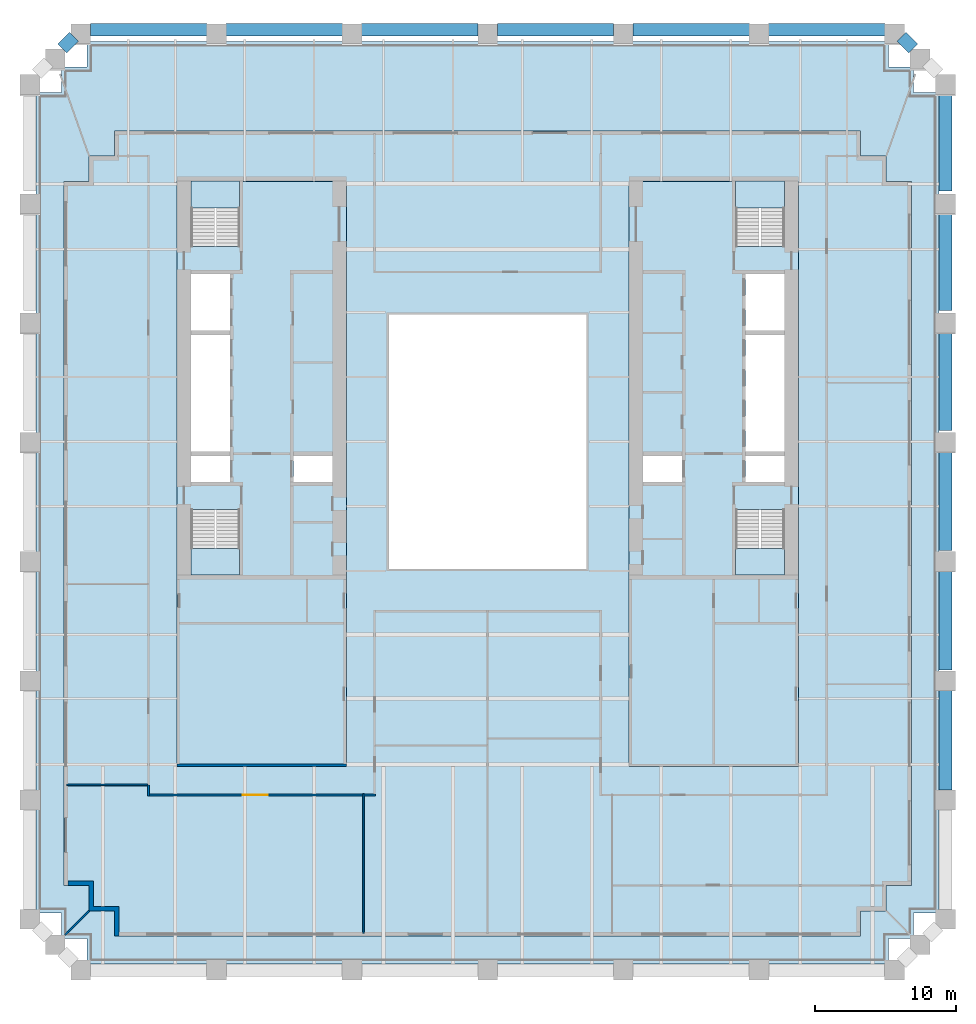
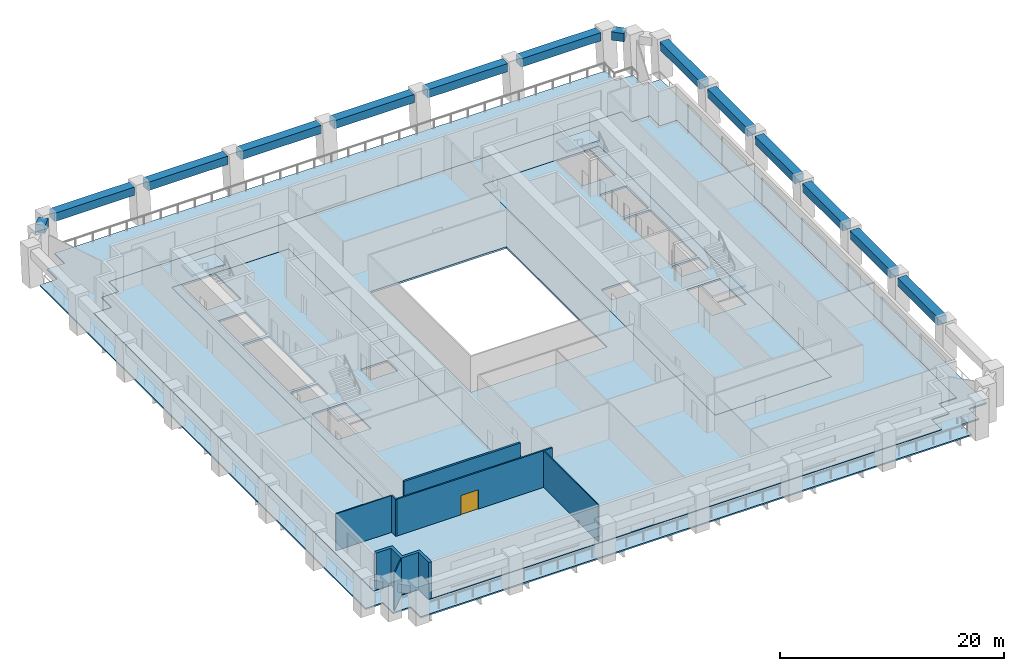
# One storey, part 2 of 8: 14 beams, 8 slabs, 8 walls, 1 door, 1 opening, 4 elements without a shape of their own.
"""IFC4 building model written with IfcOpenShell, lengths in metres."""

from ifc_helpers import new_model, si_unit, direction, frame, frame_2d, origin, origin_2d, place, context, subcontext, project, spatial, polyline, rectangle, outline, extrude, material, layer, layer_set, material_profile, profile_set, type_object, element, fill, aggregate, save


model = new_model("IFC4")

# Units and contexts
model_context = context("Model", 3, precision=1e-05, world=origin(), true_north=direction((0.0, 1.0)))
body_context = subcontext(model_context, "Body", "Model", "MODEL_VIEW")
ifc_project = project(units=[si_unit("LENGTHUNIT", "METRE"), si_unit("AREAUNIT", "SQUARE_METRE"), si_unit("VOLUMEUNIT", "CUBIC_METRE"), si_unit("PLANEANGLEUNIT", "RADIAN"), si_unit("MASSUNIT", "GRAM", prefix="KILO")], contexts=[model_context])

# Site, building, storey
site_placement = place(None, origin())
site = spatial("IfcSite", under=ifc_project, at=site_placement, CompositionType="ELEMENT")
building_placement = place(site_placement, origin())
building = spatial("IfcBuilding", under=site, at=building_placement, Name="Ogive Exchange Tower", CompositionType="ELEMENT")
storey_placement = place(building_placement, frame((0.0, 0.0, 81.60009765625)))
storey = spatial("IfcBuildingStorey", under=building, at=storey_placement, Name="L17", CompositionType="ELEMENT", Elevation=81.60009765625)

# Beams
ifc_material_1 = material(Name="Precast concrete C70/85 (limestone faced)", Category="masonry")
ifc_material_profile = material_profile(ifc_material_1, rectangle(XDim=0.89990234375, YDim=0.89990234375, at=origin_2d()), Name="900 x 900")
ifc_profile_set = profile_set([ifc_material_profile], Name="Precast concrete C70/85 (limestone faced)")
beam_type = type_object("IfcBeamType", Name="Precast spandrel 900 x 900 C70/85", PredefinedType="SPANDREL", material=ifc_profile_set)
beam_1_placement = place(storey_placement, frame((32.39990234375, -17.64208984375, 3.5), z_axis=(0.0, 1.0, 0.0), x_axis=(-1.0, 0.0, 0.0)))
element("IfcBeam", 1, at=beam_1_placement, inside=storey, type_object=beam_type, Name="Spandrel 10", PredefinedType="SPANDREL", context=body_context, shape_type="SweptSolid", body=[
    extrude(rectangle(XDim=0.89990234375, YDim=0.89990234375, at=origin_2d()), origin(), (0.0, 0.0, 1.0), 7.117919921875),
])
beam_2_placement = place(storey_placement, frame((32.39990234375, -9.164306640625, 3.5), z_axis=(0.0, 1.0, 0.0), x_axis=(-1.0, 0.0, 0.0)))
element("IfcBeam", 2, at=beam_2_placement, inside=storey, type_object=beam_type, Name="Spandrel 11", PredefinedType="SPANDREL", context=body_context, shape_type="SweptSolid", body=[
    extrude(rectangle(XDim=0.89990234375, YDim=0.89990234375, at=origin_2d()), origin(), (0.0, 0.0, 1.0), 7.1181640625),
])
for number, where, z_axis, x_axis, name in (
    (3, (32.39990234375, -0.686279296875, 3.5), (0.0, 1.0, 0.0), (-1.0, 0.0, 0.0), "Spandrel 12"),
    (4, (32.39990234375, 7.791748046875, 3.5), (0.0, 1.0, 0.0), (-1.0, 0.0, 0.0), "Spandrel 13"),
    (5, (32.39990234375, 16.26953125, 3.5), (0.0, 1.0, 0.0), (-1.0, 0.0, 0.0), "Spandrel 14"),
    (6, (32.39990234375, 24.74755859375, 3.5), (0.0, 1.0, 0.0), (-1.0, 0.0, 0.0), "Spandrel 15"),
):
    element("IfcBeam", number, at=place(storey_placement, frame(where, z_axis=z_axis, x_axis=x_axis)), inside=storey, type_object=beam_type, Name=name, PredefinedType="SPANDREL", context=body_context, shape_type="SweptSolid", body=[
        extrude(rectangle(XDim=0.89990234375, YDim=0.89990234375, at=origin_2d()), origin(), (0.0, 0.0, 1.0), 7.117919921875),
    ])
beam_3_placement = place(storey_placement, frame((30.112060546875, 34.833251953125, 3.5), z_axis=(-0.707002063412, 0.707211483455, 0.0), x_axis=(-0.707211483455, -0.707002063412, 0.0)))
element("IfcBeam", 7, at=beam_3_placement, inside=storey, type_object=beam_type, Name="Spandrel 17", PredefinedType="SPANDREL", context=body_context, shape_type="SweptSolid", body=[
    extrude(rectangle(XDim=0.89990234375, YDim=0.89990234375, at=origin_2d()), origin(), (0.0, 0.0, 1.0), 1.165771484375),
])
beam_4_placement = place(storey_placement, frame((28.1201171875, 36.1455078125, 3.5), z_axis=(-1.0, 0.0, 0.0), x_axis=(0.0, -1.0, 0.0)))
element("IfcBeam", 8, at=beam_4_placement, inside=storey, type_object=beam_type, Name="Spandrel 18", PredefinedType="SPANDREL", context=body_context, shape_type="SweptSolid", body=[
    extrude(rectangle(XDim=0.89990234375, YDim=0.89990234375, at=origin_2d()), origin(), (0.0, 0.0, 1.0), 8.240234375),
])
for number, where, z_axis, x_axis, name in (
    (9, (18.52001953125, 36.1455078125, 3.5), (-1.0, 0.0, 0.0), (0.0, -1.0, 0.0), "Spandrel 19"),
    (10, (8.919921875, 36.1455078125, 3.5), (-1.0, 0.0, 0.0), (0.0, -1.0, 0.0), "Spandrel 20"),
    (11, (-0.679931640625, 36.1455078125, 3.5), (-1.0, 0.0, 0.0), (0.0, -1.0, 0.0), "Spandrel 21"),
    (12, (-10.280029296875, 36.1455078125, 3.5), (-1.0, 0.0, 0.0), (0.0, -1.0, 0.0), "Spandrel 22"),
):
    element("IfcBeam", number, at=place(storey_placement, frame(where, z_axis=z_axis, x_axis=x_axis)), inside=storey, type_object=beam_type, Name=name, PredefinedType="SPANDREL", context=body_context, shape_type="SweptSolid", body=[
        extrude(rectangle(XDim=0.89990234375, YDim=0.89990234375, at=origin_2d()), origin(), (0.0, 0.0, 1.0), 8.239990234375),
    ])
beam_5_placement = place(storey_placement, frame((-19.8798828125, 36.1455078125, 3.5), z_axis=(-1.0, 0.0, 0.0), x_axis=(0.0, -1.0, 0.0)))
element("IfcBeam", 13, at=beam_5_placement, inside=storey, type_object=beam_type, Name="Spandrel 23", PredefinedType="SPANDREL", context=body_context, shape_type="SweptSolid", body=[
    extrude(rectangle(XDim=0.89990234375, YDim=0.89990234375, at=origin_2d()), origin(), (0.0, 0.0, 1.0), 8.240234375),
])
beam_6_placement = place(storey_placement, frame((-29.287841796875, 35.65771484375, 3.5), z_axis=(-0.707002063412, -0.707211483455, 0.0), x_axis=(0.707211483455, -0.707002063412, 0.0)))
element("IfcBeam", 14, at=beam_6_placement, inside=storey, type_object=beam_type, Name="Spandrel 24", PredefinedType="SPANDREL", context=body_context, shape_type="SweptSolid", body=[
    extrude(rectangle(XDim=0.89990234375, YDim=0.89990234375, at=origin_2d()), origin(), (0.0, 0.0, 1.0), 1.165771484375),
])

# Slabs
ifc_material_2 = material(Name="Concrete C50/60", Category="concrete")
ifc_layer_1 = layer(ifc_material_2, 0.199951171875)
ifc_layer_set_1 = layer_set([ifc_layer_1], Name="Composite floor slab 200")
slab_type_1 = type_object("IfcSlabType", Name="Composite floor slab 200", PredefinedType="FLOOR", material=ifc_layer_set_1)
slab_1_placement = place(storey_placement, frame((0.0, 0.0, -0.2001953125)))
element("IfcSlab", 15, at=slab_1_placement, inside=storey, type_object=slab_type_1, Name="Composite floor slab", PredefinedType="FLOOR", context=body_context, shape_type="SweptSolid", body=[
    extrude(outline(polyline([(-26.39990234375, -26.199951171875), (-28.199951171875, -26.199951171875), (-28.199951171875, -24.39990234375), (-30.0, -24.39990234375), (-30.0, 25.39990234375), (-28.199951171875, 25.39990234375), (-28.199951171875, 27.199951171875), (-26.39990234375, 27.199951171875), (-26.39990234375, 29.0), (26.39990234375, 29.0), (26.39990234375, 27.199951171875), (28.199951171875, 27.199951171875), (28.199951171875, 25.39990234375), (30.0, 25.39990234375), (30.0, -24.39990234375), (28.199951171875, -24.39990234375), (28.199951171875, -26.199951171875), (26.39990234375, -26.199951171875), (26.39990234375, -28.0), (-26.39990234375, -28.0), (-26.39990234375, -26.199951171875)]), holes=[polyline([(-10.0, -16.0), (-10.0, 25.39990234375), (-22.0, 25.39990234375), (-22.0, -16.0), (-10.0, -16.0)]), polyline([(10.0, -16.0), (22.0, -16.0), (22.0, 25.39990234375), (10.0, 25.39990234375), (10.0, -16.0)]), polyline([(-7.0, -2.0), (7.0, -2.0), (7.0, 16.0), (-7.0, 16.0), (-7.0, -2.0)])]), origin(), (0.0, 0.0, 1.0), 0.2001953125),
])
ifc_material_3 = material(Name="Concrete C70/85", Category="concrete")
ifc_layer_2 = layer(ifc_material_3, 0.199951171875)
ifc_layer_set_2 = layer_set([ifc_layer_2], Name="Core floor slab 200")
slab_type_2 = type_object("IfcSlabType", Name="Core floor slab 200", PredefinedType="FLOOR", material=ifc_layer_set_2)
slab_2_placement = place(storey_placement, frame((0.0, 0.0, -0.2001953125)))
element("IfcSlab", 16, at=slab_2_placement, inside=storey, type_object=slab_type_2, Name="Core floor slab", PredefinedType="FLOOR", context=body_context, shape_type="SweptSolid", body=[
    extrude(outline(polyline([(-10.0, 25.39990234375), (-10.0, -16.0), (-22.0, -16.0), (-22.0, 25.39990234375), (-21.0, 25.39990234375), (-21.0, 20.803955078125), (-17.550048828125, 20.803955078125), (-17.550048828125, 25.39990234375), (-10.0, 25.39990234375)]), holes=[polyline([(-17.550048828125, 2.196044921875), (-21.0, 2.196044921875), (-21.0, -2.449951171875), (-17.550048828125, -2.449951171875), (-17.550048828125, 2.196044921875)]), polyline([(-18.25, 5.992919921875), (-21.0, 5.992919921875), (-21.0, 4.14990234375), (-18.25, 4.14990234375), (-18.25, 5.992919921875)]), polyline([(-11.0, 5.992919921875), (-13.75, 5.992919921875), (-13.75, 4.14990234375), (-11.0, 4.14990234375), (-11.0, 5.992919921875)]), polyline([(-21.0, 14.564208984375), (-21.0, 6.29296875), (-18.25, 6.29296875), (-18.25, 14.564208984375), (-21.0, 14.564208984375)]), polyline([(-18.25, 18.85009765625), (-21.0, 18.85009765625), (-21.0, 14.8642578125), (-18.25, 14.8642578125), (-18.25, 18.85009765625)])]), origin(), (0.0, 0.0, 1.0), 0.2001953125),
])
slab_3_placement = place(storey_placement, frame((0.0, 0.0, -0.2001953125)))
element("IfcSlab", 17, at=slab_3_placement, inside=storey, type_object=slab_type_2, Name="Core floor slab", PredefinedType="FLOOR", context=body_context, shape_type="SweptSolid", body=[
    extrude(outline(polyline([(22.0, 25.39990234375), (22.0, -16.0), (10.0, -16.0), (10.0, 25.39990234375), (17.550048828125, 25.39990234375), (17.550048828125, 20.803955078125), (21.0, 20.803955078125), (21.0, 25.39990234375), (22.0, 25.39990234375)]), holes=[polyline([(21.0, 2.196044921875), (17.550048828125, 2.196044921875), (17.550048828125, -2.449951171875), (21.0, -2.449951171875), (21.0, 2.196044921875)]), polyline([(13.75, 5.992919921875), (11.0, 5.992919921875), (11.0, 4.14990234375), (13.75, 4.14990234375), (13.75, 5.992919921875)]), polyline([(21.0, 5.992919921875), (18.25, 5.992919921875), (18.25, 4.14990234375), (21.0, 4.14990234375), (21.0, 5.992919921875)]), polyline([(18.25, 14.564208984375), (18.25, 6.29296875), (21.0, 6.29296875), (21.0, 14.564208984375), (18.25, 14.564208984375)]), polyline([(21.0, 18.85009765625), (18.25, 18.85009765625), (18.25, 14.8642578125), (21.0, 14.8642578125), (21.0, 18.85009765625)])]), origin(), (0.0, 0.0, 1.0), 0.2001953125),
])
ifc_layer_3 = layer(ifc_material_2, 0.14990234375)
ifc_layer_set_3 = layer_set([ifc_layer_3], Name="Loggia deck 150")
slab_type_3 = type_object("IfcSlabType", Name="Loggia deck 150", PredefinedType="FLOOR", material=ifc_layer_set_3)
slab_4_placement = place(storey_placement, frame((0.0, 0.0, -0.2001953125)))
element("IfcSlab", 18, at=slab_4_placement, inside=storey, type_object=slab_type_3, Name="Loggia deck", PredefinedType="FLOOR", context=body_context, shape_type="SweptSolid", body=[
    extrude(outline(polyline([(-28.35009765625, -28.14990234375), (-30.14990234375, -28.14990234375), (-30.14990234375, -26.35009765625), (-31.949951171875, -26.35009765625), (-31.949951171875, 31.713623046875), (-30.14990234375, 31.713623046875), (-30.14990234375, 33.513671875), (-28.35009765625, 33.513671875), (-28.35009765625, 35.313720703125), (28.35009765625, 35.313720703125), (28.35009765625, 33.513671875), (30.14990234375, 33.513671875), (30.14990234375, 31.713623046875), (31.949951171875, 31.713623046875), (31.949951171875, -26.35009765625), (30.14990234375, -26.35009765625), (30.14990234375, -28.14990234375), (28.35009765625, -28.14990234375), (28.35009765625, -29.949951171875), (-28.35009765625, -29.949951171875), (-28.35009765625, -28.14990234375)]), holes=[polyline([(26.39990234375, -26.199951171875), (28.199951171875, -26.199951171875), (28.199951171875, -24.39990234375), (30.0, -24.39990234375), (30.0, 25.39990234375), (28.199951171875, 25.39990234375), (28.199951171875, 27.199951171875), (26.39990234375, 27.199951171875), (26.39990234375, 29.0), (-26.39990234375, 29.0), (-26.39990234375, 27.199951171875), (-28.199951171875, 27.199951171875), (-28.199951171875, 25.39990234375), (-30.0, 25.39990234375), (-30.0, -24.39990234375), (-28.199951171875, -24.39990234375), (-28.199951171875, -26.199951171875), (-26.39990234375, -26.199951171875), (-26.39990234375, -28.0), (26.39990234375, -28.0), (26.39990234375, -26.199951171875)])]), origin(), (0.0, 0.0, 1.0), 0.150146484375),
])

# Stair, slab
ifc_material_4 = material(Name="Concrete C40/50", Category="concrete")
stair_type = type_object("IfcStairType", Name="Exit stair 1650 wide", PredefinedType="HALF_TURN_STAIR", material=ifc_material_4)
stair_1_placement = place(storey_placement, origin())
stair_1 = element("IfcStair", 19, at=stair_1_placement, inside=storey, type_object=stair_type, Name="L17 exit stair ST1", PredefinedType="HALF_TURN_STAIR")
ifc_layer_4 = layer(ifc_material_4, 0.199951171875)
ifc_layer_set_4 = layer_set([ifc_layer_4], Name="Stair landing 200 slab")
slab_type_4 = type_object("IfcSlabType", Name="Stair landing 200 slab", PredefinedType="LANDING", material=ifc_layer_set_4)
slab_5_placement = place(storey_placement, frame((0.0, 0.0, 1.89990234375)))
slab_5 = element("IfcSlab", 20, at=slab_5_placement, type_object=slab_type_4, Name="ST1 landing 1", PredefinedType="LANDING", context=body_context, shape_type="SweptSolid", body=[
    extrude(outline(polyline([(-21.0, -0.550048828125), (-21.0, -2.449951171875), (-17.550048828125, -2.449951171875), (-17.550048828125, -0.550048828125), (-21.0, -0.550048828125)])), origin(), (0.0, 0.0, 1.0), 0.199951171875),
])
aggregate(stair_1, [slab_5])

stair_2_placement = place(storey_placement, origin())
stair_2 = element("IfcStair", 21, at=stair_2_placement, inside=storey, type_object=stair_type, Name="L17 exit stair ST2", PredefinedType="HALF_TURN_STAIR")
slab_6_placement = place(storey_placement, frame((0.0, 0.0, 1.89990234375)))
slab_6 = element("IfcSlab", 22, at=slab_6_placement, type_object=slab_type_4, Name="ST2 landing 1", PredefinedType="LANDING", context=body_context, shape_type="SweptSolid", body=[
    extrude(outline(polyline([(-17.550048828125, 23.550048828125), (-17.550048828125, 25.449951171875), (-21.0, 25.449951171875), (-21.0, 23.550048828125), (-17.550048828125, 23.550048828125)])), origin(), (0.0, 0.0, 1.0), 0.199951171875),
])
aggregate(stair_2, [slab_6])

stair_3_placement = place(storey_placement, origin())
stair_3 = element("IfcStair", 23, at=stair_3_placement, inside=storey, type_object=stair_type, Name="L17 exit stair ST3", PredefinedType="HALF_TURN_STAIR")
slab_7_placement = place(storey_placement, frame((0.0, 0.0, 1.89990234375)))
slab_7 = element("IfcSlab", 24, at=slab_7_placement, type_object=slab_type_4, Name="ST3 landing 1", PredefinedType="LANDING", context=body_context, shape_type="SweptSolid", body=[
    extrude(outline(polyline([(17.550048828125, -0.550048828125), (17.550048828125, -2.449951171875), (21.0, -2.449951171875), (21.0, -0.550048828125), (17.550048828125, -0.550048828125)])), origin(), (0.0, 0.0, 1.0), 0.199951171875),
])
aggregate(stair_3, [slab_7])

stair_4_placement = place(storey_placement, origin())
stair_4 = element("IfcStair", 25, at=stair_4_placement, inside=storey, type_object=stair_type, Name="L17 exit stair ST4", PredefinedType="HALF_TURN_STAIR")
slab_8_placement = place(storey_placement, frame((0.0, 0.0, 1.89990234375)))
slab_8 = element("IfcSlab", 26, at=slab_8_placement, type_object=slab_type_4, Name="ST4 landing 1", PredefinedType="LANDING", context=body_context, shape_type="SweptSolid", body=[
    extrude(outline(polyline([(21.0, 23.550048828125), (21.0, 25.449951171875), (17.550048828125, 25.449951171875), (17.550048828125, 23.550048828125), (21.0, 23.550048828125)])), origin(), (0.0, 0.0, 1.0), 0.199951171875),
])
aggregate(stair_4, [slab_8])

# Wall
ifc_material_5 = material(Name="Fire partition EI 60 150")
ifc_layer_5 = layer(ifc_material_5, 0.14990234375)
ifc_layer_set_5 = layer_set([ifc_layer_5], Name="Fire partition EI 60 150")
wall_type_1 = type_object("IfcWallType", Name="Fire partition EI 60 150", PredefinedType="PARTITIONING", material=ifc_layer_set_5)
wall_1_placement = place(storey_placement, frame((-24.0, -18.074951171875, 0.0), z_axis=(0.0, 0.0, 1.0), x_axis=(0.0, 1.0, 0.0)))
element("IfcWall", 27, at=wall_1_placement, inside=storey, type_object=wall_type_1, Name="L17-PWL-001", PredefinedType="PARTITIONING", context=body_context, shape_type="SweptSolid", body=[
    extrude(rectangle(XDim=0.784912109375, YDim=0.14990234375, at=frame_2d((0.392578125, 0.0))), origin(), (0.0, 0.0, 1.0), 4.0),
])

# Wall, opening, door
wall_2_placement = place(storey_placement, frame((-8.85009765625, -18.0, 0.0), z_axis=(0.0, 0.0, 1.0), x_axis=(-1.0, 0.0, 0.0)))
wall_2 = element("IfcWall", 28, at=wall_2_placement, inside=storey, type_object=wall_type_1, Name="L17-PWL-008", PredefinedType="PARTITIONING", context=body_context, shape_type="SweptSolid", body=[
    extrude(rectangle(XDim=15.074951171875, YDim=0.14990234375, at=frame_2d((7.53759765625, 0.0))), origin(), (0.0, 0.0, 1.0), 4.0),
])
opening_placement = place(wall_2_placement, frame((6.699951171875, 0.0, 0.0)))
opening = element("IfcOpeningElement", 29, at=opening_placement, cuts=wall_2, Name="Opening L17-I12", PredefinedType="OPENING", context=body_context, shape_type="SweptSolid", body=[
    extrude(rectangle(XDim=1.800048828125, YDim=2.10009765625, at=frame_2d((0.89990234375, 1.050048828125))), frame((0.0, 0.0849609375, 0.0), z_axis=(0.0, -1.0, 0.0), x_axis=(1.0, 0.0, 0.0)), (0.0, 0.0, 1.0), 0.169921875),
])
ifc_material_6 = material(Name="Fire door FD 30S 1800 x 2100")
door_type = type_object("IfcDoorType", Name="Fire door FD 30S 1800 x 2100", OperationType="DOUBLE_DOOR_SINGLE_SWING", PredefinedType="DOOR", material=ifc_material_6)
door_placement = place(opening_placement, origin())
door = element("IfcDoor", 30, at=door_placement, inside=storey, type_object=door_type, Name="L17-IDR-012", ObjectType="DT4", OperationType="SINGLE_SWING_LEFT", OverallHeight=2.10009765625, OverallWidth=1.800048828125, PredefinedType="DOOR", context=body_context, shape_type="SweptSolid", body=[
    extrude(rectangle(XDim=1.800048828125, YDim=2.10009765625, at=frame_2d((0.89990234375, 1.050048828125))), frame((0.0, 0.02490234375, 0.0), z_axis=(0.0, -1.0, 0.0), x_axis=(1.0, 0.0, 0.0)), (0.0, 0.0, 1.0), 0.050048828125),
])
fill(opening, door)

# Walls
wall_3_placement = place(storey_placement, frame((-7.925048828125, -18.0, 0.0), z_axis=(0.0, 0.0, 1.0), x_axis=(-1.0, 0.0, 0.0)))
element("IfcWall", 31, at=wall_3_placement, inside=storey, type_object=wall_type_1, Name="L17-PWL-010", PredefinedType="PARTITIONING", context=body_context, shape_type="SweptSolid", body=[
    extrude(rectangle(XDim=0.824951171875, YDim=0.14990234375, at=frame_2d((0.41259765625, 0.0))), origin(), (0.0, 0.0, 1.0), 4.0),
])
ifc_material_7 = material(Name="Precast concrete C40/50", Category="concrete")
ifc_layer_6 = layer(ifc_material_7, 0.300048828125)
ifc_layer_set_6 = layer_set([ifc_layer_6], Name="Limestone-faced wall 300")
wall_type_2 = type_object("IfcWallType", Name="Limestone-faced wall 300", PredefinedType="STANDARD", material=ifc_layer_set_6)
wall_4_placement = place(storey_placement, origin())
element("IfcWall", 32, at=wall_4_placement, inside=storey, type_object=wall_type_2, Name="External corner wall C4", PredefinedType="STANDARD", context=body_context, shape_type="SweptSolid", body=[
    extrude(outline(polyline([(-26.39990234375, -26.199951171875), (-28.199951171875, -26.199951171875), (-28.199951171875, -24.39990234375), (-29.699951171875, -24.39990234375), (-29.699951171875, -24.10009765625), (-27.89990234375, -24.10009765625), (-27.89990234375, -25.89990234375), (-26.10009765625, -25.89990234375), (-26.10009765625, -28.0), (-26.39990234375, -28.0), (-26.39990234375, -26.199951171875)])), origin(), (0.0, 0.0, 1.0), 4.0),
])
ifc_material_8 = material(Name="Laminated safety glass in steel frame", Category="steel")
ifc_layer_7 = layer(ifc_material_8, 0.10009765625)
ifc_layer_set_7 = layer_set([ifc_layer_7], Name="Loggia end screen 100")
wall_type_3 = type_object("IfcWallType", Name="Loggia end screen 100", PredefinedType="STANDARD", material=ifc_layer_set_7)
wall_5_placement = place(storey_placement, frame((-28.199951171875, -26.199951171875, -0.050048828125), z_axis=(0.0, 0.0, 1.0), x_axis=(-0.707106781187, -0.707106781187, 0.0)))
element("IfcWall", 33, at=wall_5_placement, inside=storey, type_object=wall_type_3, Name="Loggia end screen C4", PredefinedType="STANDARD", context=body_context, shape_type="SweptSolid", body=[
    extrude(rectangle(XDim=2.384521484375, YDim=0.10009765625, at=frame_2d((1.1923828125, 0.0))), origin(), (0.0, 0.0, 1.0), 4.050048828125),
])
ifc_material_9 = material(Name="Partition 100 gypsum")
ifc_layer_8 = layer(ifc_material_9, 0.10009765625)
ifc_layer_set_8 = layer_set([ifc_layer_8], Name="Partition 100 gypsum")
wall_type_4 = type_object("IfcWallType", Name="Partition 100 gypsum", PredefinedType="PARTITIONING", material=ifc_layer_set_8)
wall_6_placement = place(storey_placement, frame((-24.074951171875, -17.2900390625, 0.0), z_axis=(0.0, 0.0, 1.0), x_axis=(-1.0, 0.0, 0.0)))
element("IfcWall", 34, at=wall_6_placement, inside=storey, type_object=wall_type_4, Name="L17-PWL-002", PredefinedType="PARTITIONING", context=body_context, shape_type="SweptSolid", body=[
    extrude(rectangle(XDim=5.72509765625, YDim=0.10009765625, at=frame_2d((2.862548828125, 0.0))), origin(), (0.0, 0.0, 1.0), 4.0),
])
wall_7_placement = place(storey_placement, frame((-8.800048828125, -27.800048828125, 0.0), z_axis=(0.0, 0.0, 1.0), x_axis=(0.0, 1.0, 0.0)))
element("IfcWall", 35, at=wall_7_placement, inside=storey, type_object=wall_type_4, Name="L17-PWL-007", PredefinedType="PARTITIONING", context=body_context, shape_type="SweptSolid", body=[
    extrude(rectangle(XDim=9.875, YDim=0.10009765625, at=frame_2d((4.9375, 0.0))), origin(), (0.0, 0.0, 1.0), 4.0),
])
ifc_layer_9 = layer(ifc_material_3, 0.199951171875)
ifc_layer_set_9 = layer_set([ifc_layer_9], Name="RC core wall 200 C70/85")
wall_type_5 = type_object("IfcWallType", Name="RC core wall 200 C70/85", PredefinedType="SHEAR", material=ifc_layer_set_9)
wall_8_placement = place(storey_placement, frame((-22.0, -15.89990234375, 0.0), z_axis=(0.0, 0.0, 1.0), x_axis=(1.0, 0.0, 0.0)))
element("IfcWall", 36, at=wall_8_placement, inside=storey, type_object=wall_type_5, Name="W annex S end wall", PredefinedType="SHEAR", context=body_context, shape_type="SweptSolid", body=[
    extrude(rectangle(XDim=12.0, YDim=0.199951171875, at=frame_2d((6.0, 0.0))), origin(), (0.0, 0.0, 1.0), 4.0),
])

save(model, "model.ifc")
